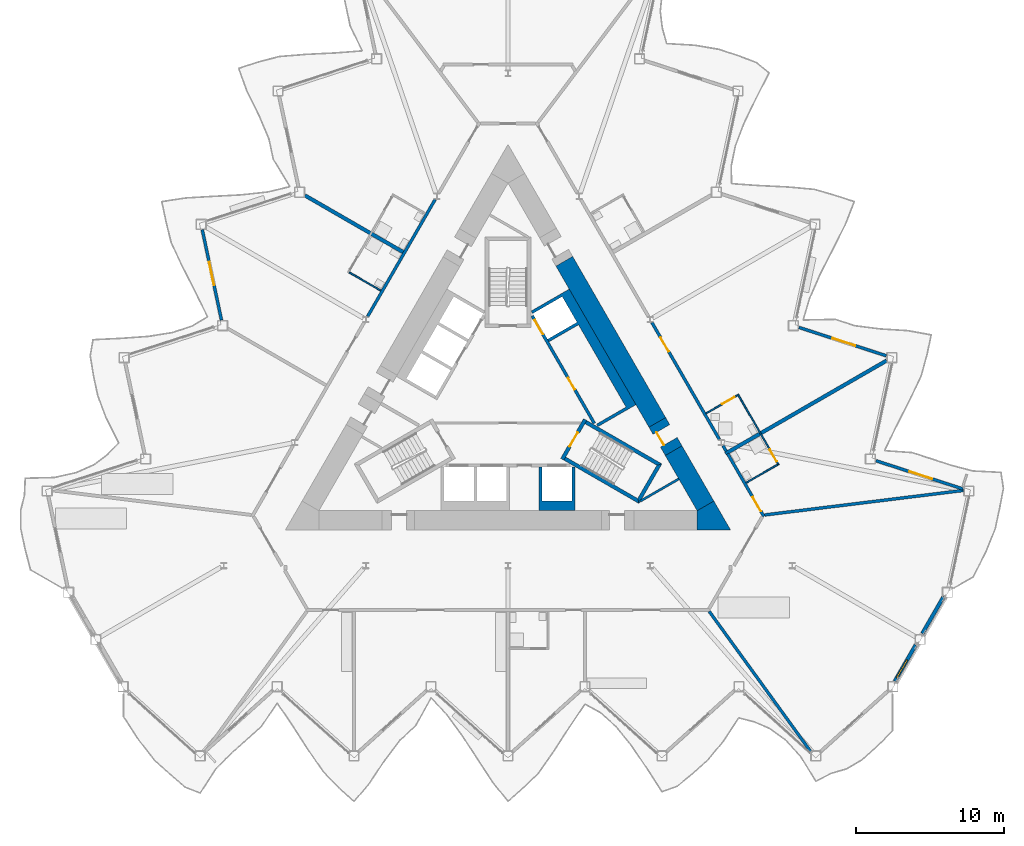
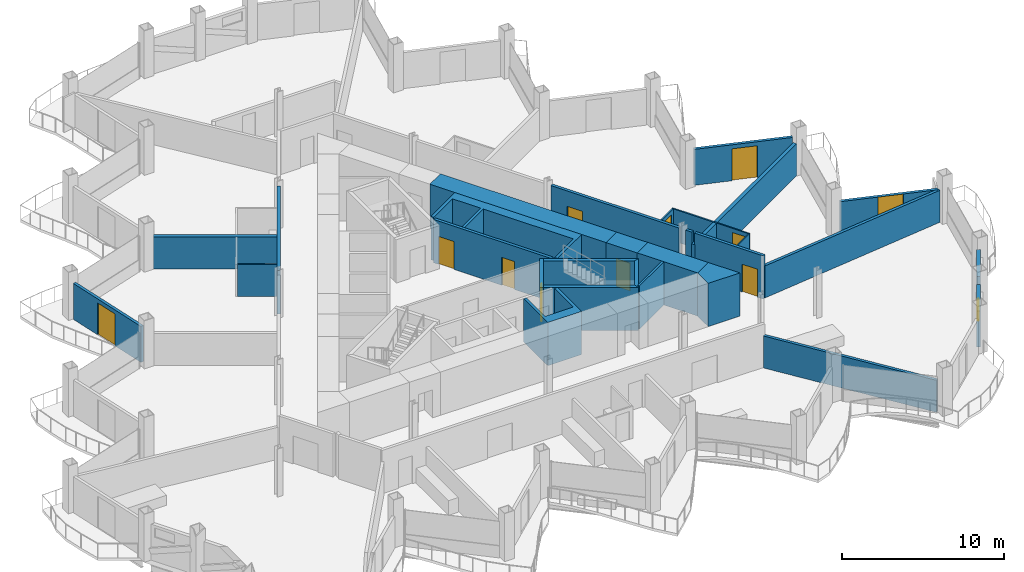
# One storey, part 13 of 24: 29 walls, 11 doors, 1 window, 12 openings.
"""IFC4 building model written with IfcOpenShell, lengths in metres."""

from ifc_helpers import new_model, si_unit, direction, frame, frame_2d, origin, place, context, subcontext, project, spatial, polyline, rectangle, outline, extrude, material, layer, layer_set, type_object, element, fill, save


model = new_model("IFC4")

# Units and contexts
model_context = context("Model", 3, precision=1e-05, world=origin(), true_north=direction((0.0, 1.0)))
body_context = subcontext(model_context, "Body", "Model", "MODEL_VIEW")
ifc_project = project(units=[si_unit("LENGTHUNIT", "METRE"), si_unit("AREAUNIT", "SQUARE_METRE"), si_unit("VOLUMEUNIT", "CUBIC_METRE"), si_unit("PLANEANGLEUNIT", "RADIAN"), si_unit("MASSUNIT", "GRAM", prefix="KILO")], contexts=[model_context])

# Site, building, storey
site_placement = place(None, origin())
site = spatial("IfcSite", under=ifc_project, at=site_placement, CompositionType="ELEMENT")
building_placement = place(site_placement, origin())
building = spatial("IfcBuilding", under=site, at=building_placement, Name="Cormorant Prow Tower", CompositionType="ELEMENT")
storey_placement = place(building_placement, frame((0.0, 0.0, 274.199951171875)))
storey = spatial("IfcBuildingStorey", under=building, at=storey_placement, Name="L62", CompositionType="ELEMENT", Elevation=274.199951171875)

# Walls
ifc_material_1 = material(Name="Gypsum board partition")
ifc_layer_1 = layer(ifc_material_1, 0.14990234375)
ifc_layer_set_1 = layer_set([ifc_layer_1], Name="Gypsum board partition")
wall_type_1 = type_object("IfcWallType", Name="Core partition 150", PredefinedType="PARTITIONING", material=ifc_layer_set_1)
wall_1_placement = place(storey_placement, frame((11.511474609375, -5.2177734375, 0.0), z_axis=(0.0, 0.0, 1.0), x_axis=(-0.866045649925, -0.499964931016, 0.0)))
element("IfcWall", 1, at=wall_1_placement, inside=storey, type_object=wall_type_1, Name="Service room partition", PredefinedType="PARTITIONING", context=body_context, shape_type="SweptSolid", body=[
    extrude(rectangle(XDim=2.992431640625, YDim=0.14990234375, at=frame_2d((1.49609375, 0.0))), origin(), (0.0, 0.0, 1.0), 3.25),
])
ifc_material_2 = material(Name="Concrete 8000 psi", Category="concrete")
ifc_layer_2 = layer(ifc_material_2, 1.300048828125)
ifc_layer_set_2 = layer_set([ifc_layer_2], Name="Concrete 8000 psi")
wall_type_2 = type_object("IfcWallType", Name="Core shear wall 1300", PredefinedType="SHEAR", material=ifc_layer_set_2)
wall_2_placement = place(storey_placement, frame((10.0625, -1.408203125, 0.0), z_axis=(0.0, 0.0, 1.0), x_axis=(-0.500000545805, 0.866025088663, 0.0)))
element("IfcWall", 2, at=wall_2_placement, inside=storey, type_object=wall_type_2, Name="Core wall", PredefinedType="SHEAR", context=body_context, shape_type="SweptSolid", body=[
    extrude(rectangle(XDim=12.5390625, YDim=1.300048828125, at=frame_2d((6.26953125, 0.0))), origin(), (0.0, 0.0, 1.0), 3.25),
])
wall_3_placement = place(storey_placement, frame((13.311279296875, -7.035400390625, 0.0), z_axis=(0.0, 0.0, 1.0), x_axis=(-0.500012574659, 0.86601814368, 0.0)))
element("IfcWall", 3, at=wall_3_placement, inside=storey, type_object=wall_type_2, Name="Core wall", PredefinedType="SHEAR", context=body_context, shape_type="SweptSolid", body=[
    extrude(rectangle(XDim=4.2978515625, YDim=1.300048828125, at=frame_2d((2.14892578125, 0.0))), origin(), (0.0, 0.0, 1.0), 3.25),
])
wall_4_placement = place(storey_placement, origin())
element("IfcWall", 4, at=wall_4_placement, inside=storey, type_object=wall_type_2, Name="Core wall corner", PredefinedType="SHEAR", context=body_context, shape_type="SweptSolid", body=[
    extrude(outline(polyline([(12.748291015625, -8.660400390625), (12.748291015625, -7.3603515625), (13.874267578125, -6.710205078125), (15.0, -8.660400390625), (12.748291015625, -8.660400390625)])), origin(), (0.0, 0.0, 1.0), 3.25),
])

# Wall, opening, door
wall_5_placement = place(storey_placement, frame((11.16259765625, -3.3134765625, 0.0), z_axis=(0.0, 0.0, 1.0), x_axis=(-0.50002983664, 0.866008176907, 0.0)))
wall_5 = element("IfcWall", 5, at=wall_5_placement, inside=storey, type_object=wall_type_2, Name="Core wall door panel", PredefinedType="SHEAR", context=body_context, shape_type="SweptSolid", body=[
    extrude(rectangle(XDim=2.199951171875, YDim=1.300048828125, at=frame_2d((1.10009765625, 0.0))), origin(), (0.0, 0.0, 1.0), 3.25),
])
opening_1_placement = place(wall_5_placement, frame((0.64990234375, 0.0, 0.0)))
opening_1 = element("IfcOpeningElement", 6, at=opening_1_placement, cuts=wall_5, Name="Opening L62-C15", PredefinedType="OPENING", context=body_context, shape_type="SweptSolid", body=[
    extrude(rectangle(XDim=1.0, YDim=2.10009765625, at=frame_2d((0.5, 1.050048828125))), frame((0.0, 0.659912109375, 0.0), z_axis=(0.0, -1.0, 0.0), x_axis=(1.0, 0.0, 0.0)), (0.0, 0.0, 1.0), 1.320068359375),
])
ifc_material_3 = material(Name="Painted steel", Category="steel")
door_type_1 = type_object("IfcDoorType", Name="Service door 1000x2100", OperationType="NOTDEFINED", PredefinedType="DOOR", material=ifc_material_3)
door_1_placement = place(opening_1_placement, origin())
door_1 = element("IfcDoor", 7, at=door_1_placement, inside=storey, type_object=door_type_1, Name="Core door, Electrical room", OperationType="SINGLE_SWING_LEFT", OverallHeight=2.10009765625, OverallWidth=1.0, PredefinedType="DOOR", context=body_context, shape_type="SweptSolid", body=[
    extrude(rectangle(XDim=1.0, YDim=2.10009765625, at=frame_2d((0.5, 1.050048828125))), frame((0.0, 0.40478515625, 0.0), z_axis=(0.0, -1.0, 0.0), x_axis=(1.0, 0.0, 0.0)), (0.0, 0.0, 1.0), 0.050048828125),
])
fill(opening_1, door_1)

ifc_material_4 = material(Name="Gypsum board corridor wall")
ifc_layer_3 = layer(ifc_material_4, 0.199951171875)
ifc_layer_set_3 = layer_set([ifc_layer_3], Name="Gypsum board corridor wall")
wall_type_3 = type_object("IfcWallType", Name="Corridor wall 200", PredefinedType="PARTITIONING", material=ifc_layer_set_3)
wall_6_placement = place(storey_placement, frame((9.699462890625, 5.320556640625, 0.0), z_axis=(0.0, 0.0, 1.0), x_axis=(0.49998193945, -0.866035830797, 0.0)))
wall_6 = element("IfcWall", 8, at=wall_6_placement, inside=storey, type_object=wall_type_3, Name="Corridor wall", PredefinedType="PARTITIONING", context=body_context, shape_type="SweptSolid", body=[
    extrude(rectangle(XDim=9.094482421875, YDim=0.199951171875, at=frame_2d((4.54736328125, 0.0))), origin(), (0.0, 0.0, 1.0), 3.25),
])
opening_2_placement = place(wall_6_placement, frame((1.16162109375, 0.0, 0.0)))
opening_2 = element("IfcOpeningElement", 9, at=opening_2_placement, cuts=wall_6, Name="Opening L62-F09", PredefinedType="OPENING", context=body_context, shape_type="SweptSolid", body=[
    extrude(rectangle(XDim=1.10009765625, YDim=2.10009765625, at=frame_2d((0.550048828125, 1.050048828125))), frame((0.0, 0.10986328125, 0.0), z_axis=(0.0, -1.0, 0.0), x_axis=(1.0, 0.0, 0.0)), (0.0, 0.0, 1.0), 0.219970703125),
])
ifc_material_5 = material(Name="Timber door leaf", Category="wood")
door_type_2 = type_object("IfcDoorType", Name="Suite entrance door 1100x2100", OperationType="NOTDEFINED", PredefinedType="DOOR", material=ifc_material_5)
door_2_placement = place(opening_2_placement, origin())
door_2 = element("IfcDoor", 10, at=door_2_placement, inside=storey, type_object=door_type_2, Name="Executive suite bedroom door", OperationType="SINGLE_SWING_RIGHT", OverallHeight=2.10009765625, OverallWidth=1.10009765625, PredefinedType="DOOR", context=body_context, shape_type="SweptSolid", body=[
    extrude(rectangle(XDim=1.10009765625, YDim=2.10009765625, at=frame_2d((0.550048828125, 1.050048828125))), frame((0.0, 0.02490234375, 0.0), z_axis=(0.0, -1.0, 0.0), x_axis=(1.0, 0.0, 0.0)), (0.0, 0.0, 1.0), 0.050048828125),
])
fill(opening_2, door_2)

# Wall
wall_7_placement = place(storey_placement, frame((-9.45751953125, 5.739501953125, 0.0), z_axis=(0.0, 0.0, 1.0), x_axis=(0.50000207303, 0.866024206917, 0.0)))
element("IfcWall", 11, at=wall_7_placement, inside=storey, type_object=wall_type_3, Name="Corridor wall", PredefinedType="PARTITIONING", context=body_context, shape_type="SweptSolid", body=[
    extrude(rectangle(XDim=9.0947265625, YDim=0.199951171875, at=frame_2d((4.54736328125, 0.0))), origin(), (0.0, 0.0, 1.0), 3.25),
])

# Wall, opening, door
wall_8_placement = place(storey_placement, frame((14.8056640625, -3.523681640625, 0.0), z_axis=(0.0, 0.0, 1.0), x_axis=(0.499999813892, -0.866025511234, 0.0)))
wall_8 = element("IfcWall", 12, at=wall_8_placement, inside=storey, type_object=wall_type_3, Name="Corridor wall", PredefinedType="PARTITIONING", context=body_context, shape_type="SweptSolid", body=[
    extrude(rectangle(XDim=4.87646484375, YDim=0.199951171875, at=frame_2d((2.438232421875, 0.0))), origin(), (0.0, 0.0, 1.0), 3.25),
])
opening_3_placement = place(wall_8_placement, frame((3.369873046875, 0.0, 0.0)))
opening_3 = element("IfcOpeningElement", 13, at=opening_3_placement, cuts=wall_8, Name="Opening L62-F07", PredefinedType="OPENING", context=body_context, shape_type="SweptSolid", body=[
    extrude(rectangle(XDim=1.10009765625, YDim=2.10009765625, at=frame_2d((0.550048828125, 1.050048828125))), frame((0.0, 0.10986328125, 0.0), z_axis=(0.0, -1.0, 0.0), x_axis=(1.0, 0.0, 0.0)), (0.0, 0.0, 1.0), 0.219970703125),
])
door_3_placement = place(opening_3_placement, origin())
door_3 = element("IfcDoor", 14, at=door_3_placement, inside=storey, type_object=door_type_2, Name="Junior suite door", OperationType="SINGLE_SWING_RIGHT", OverallHeight=2.10009765625, OverallWidth=1.10009765625, PredefinedType="DOOR", context=body_context, shape_type="SweptSolid", body=[
    extrude(rectangle(XDim=1.10009765625, YDim=2.10009765625, at=frame_2d((0.550048828125, 1.050048828125))), frame((0.0, 0.02490234375, 0.0), z_axis=(0.0, -1.0, 0.0), x_axis=(1.0, 0.0, 0.0)), (0.0, 0.0, 1.0), 0.050048828125),
])
fill(opening_3, door_3)

# Walls
wall_9_placement = place(storey_placement, frame((14.488525390625, -2.974609375, 0.0), z_axis=(0.0, 0.0, 1.0), x_axis=(0.500483236879, -0.865746227022, 0.0)))
element("IfcWall", 15, at=wall_9_placement, inside=storey, type_object=wall_type_3, Name="Corridor wall", PredefinedType="PARTITIONING", context=body_context, shape_type="SweptSolid", body=[
    extrude(rectangle(XDim=0.43505859375, YDim=0.199951171875, at=frame_2d((0.217529296875, 0.0))), origin(), (0.0, 0.0, 1.0), 3.25),
])
ifc_material_6 = material(Name="Gypsum board demising wall")
ifc_layer_4 = layer(ifc_material_6, 0.199951171875)
ifc_layer_set_4 = layer_set([ifc_layer_4], Name="Gypsum board demising wall")
wall_type_4 = type_object("IfcWallType", Name="Demising wall 200", PredefinedType="PARTITIONING", material=ifc_layer_set_4)
wall_10_placement = place(storey_placement, frame((17.293212890625, -7.64794921875, 0.0), z_axis=(0.0, 0.0, 1.0), x_axis=(0.992463280008, 0.122542391993, 0.0)))
element("IfcWall", 16, at=wall_10_placement, inside=storey, type_object=wall_type_4, Name="Demising wall", PredefinedType="PARTITIONING", context=body_context, shape_type="SweptSolid", body=[
    extrude(rectangle(XDim=13.51171875, YDim=0.199951171875, at=frame_2d((6.755859375, 0.0))), origin(), (0.0, 0.0, 1.0), 2.404296875),
])
wall_11_placement = place(storey_placement, frame((13.557373046875, -14.141357421875, 0.0), z_axis=(0.0, 0.0, 1.0), x_axis=(0.586363418846, -0.810048110324, 0.0)))
element("IfcWall", 17, at=wall_11_placement, inside=storey, type_object=wall_type_4, Name="Demising wall", PredefinedType="PARTITIONING", context=body_context, shape_type="SweptSolid", body=[
    extrude(rectangle(XDim=11.65771484375, YDim=0.199951171875, at=frame_2d((5.828857421875, 0.0))), origin(), (0.0, 0.0, 1.0), 2.404296875),
])

# Wall, opening, door
ifc_material_7 = material(Name="Gypsum board partition")
ifc_layer_5 = layer(ifc_material_7, 0.10009765625)
ifc_layer_set_5 = layer_set([ifc_layer_5], Name="Gypsum board partition")
wall_type_5 = type_object("IfcWallType", Name="Internal partition 100", PredefinedType="PARTITIONING", material=ifc_layer_set_5)
wall_12_placement = place(storey_placement, frame((15.490234375, 0.490478515625, 0.0), z_axis=(0.0, 0.0, 1.0), x_axis=(0.499996545922, -0.866027397988, 0.0)))
wall_12 = element("IfcWall", 18, at=wall_12_placement, inside=storey, type_object=wall_type_5, Name="Internal partition", PredefinedType="PARTITIONING", context=body_context, shape_type="SweptSolid", body=[
    extrude(rectangle(XDim=5.5, YDim=0.10009765625, at=frame_2d((2.75, 0.0))), origin(), (0.0, 0.0, 1.0), 2.404296875),
])
opening_4_placement = place(wall_12_placement, frame((4.300048828125, 0.0, 0.0)))
opening_4 = element("IfcOpeningElement", 19, at=opening_4_placement, cuts=wall_12, Name="Opening L62-F08", PredefinedType="OPENING", context=body_context, shape_type="SweptSolid", body=[
    extrude(rectangle(XDim=0.949951171875, YDim=2.10009765625, at=frame_2d((0.47509765625, 1.050048828125))), frame((0.0, 0.06005859375, 0.0), z_axis=(0.0, -1.0, 0.0), x_axis=(1.0, 0.0, 0.0)), (0.0, 0.0, 1.0), 0.1201171875),
])
ifc_material_8 = material(Name="Timber door leaf", Category="wood")
door_type_3 = type_object("IfcDoorType", Name="Bathroom door 950x2100", OperationType="NOTDEFINED", PredefinedType="DOOR", material=ifc_material_8)
door_4_placement = place(opening_4_placement, origin())
door_4 = element("IfcDoor", 20, at=door_4_placement, inside=storey, type_object=door_type_3, Name="Junior suite door", OperationType="SINGLE_SWING_RIGHT", OverallHeight=2.10009765625, OverallWidth=0.949951171875, PredefinedType="DOOR", context=body_context, shape_type="SweptSolid", body=[
    extrude(rectangle(XDim=0.949951171875, YDim=2.10009765625, at=frame_2d((0.47509765625, 1.050048828125))), frame((0.0, 0.02490234375, 0.0), z_axis=(0.0, -1.0, 0.0), x_axis=(1.0, 0.0, 0.0)), (0.0, 0.0, 1.0), 0.050048828125),
])
fill(opening_4, door_4)

# Wall
wall_13_placement = place(storey_placement, frame((-10.694091796875, 8.697509765625, 0.0), z_axis=(0.0, 0.0, 1.0), x_axis=(0.866032905446, -0.499987006516, 0.0)))
element("IfcWall", 21, at=wall_13_placement, inside=storey, type_object=wall_type_5, Name="Internal partition", PredefinedType="PARTITIONING", context=body_context, shape_type="SweptSolid", body=[
    extrude(rectangle(XDim=2.44970703125, YDim=0.10009765625, at=frame_2d((1.224853515625, 0.0))), origin(), (0.0, 0.0, 1.0), 2.404296875),
])

# Wall, opening, door
wall_14_placement = place(storey_placement, frame((13.350341796875, -0.802734375, 0.0), z_axis=(0.0, 0.0, 1.0), x_axis=(0.866032905446, 0.499987006516, 0.0)))
wall_14 = element("IfcWall", 22, at=wall_14_placement, inside=storey, type_object=wall_type_5, Name="Internal partition", PredefinedType="PARTITIONING", context=body_context, shape_type="SweptSolid", body=[
    extrude(rectangle(XDim=2.44970703125, YDim=0.10009765625, at=frame_2d((1.224853515625, 0.0))), origin(), (0.0, 0.0, 1.0), 2.404296875),
])
opening_5_placement = place(wall_14_placement, frame((1.25, 0.0, 0.0)))
opening_5 = element("IfcOpeningElement", 23, at=opening_5_placement, cuts=wall_14, Name="Opening L62-F10", PredefinedType="OPENING", context=body_context, shape_type="SweptSolid", body=[
    extrude(rectangle(XDim=0.949951171875, YDim=2.10009765625, at=frame_2d((0.47509765625, 1.050048828125))), frame((0.0, 0.06005859375, 0.0), z_axis=(0.0, -1.0, 0.0), x_axis=(1.0, 0.0, 0.0)), (0.0, 0.0, 1.0), 0.1201171875),
])
door_5_placement = place(opening_5_placement, origin())
door_5 = element("IfcDoor", 24, at=door_5_placement, inside=storey, type_object=door_type_3, Name="Executive suite bedroom door", OperationType="SINGLE_SWING_RIGHT", OverallHeight=2.10009765625, OverallWidth=0.949951171875, PredefinedType="DOOR", context=body_context, shape_type="SweptSolid", body=[
    extrude(rectangle(XDim=0.949951171875, YDim=2.10009765625, at=frame_2d((0.47509765625, 1.050048828125))), frame((0.0, 0.02490234375, 0.0), z_axis=(0.0, -1.0, 0.0), x_axis=(1.0, 0.0, 0.0)), (0.0, 0.0, 1.0), 0.050048828125),
])
fill(opening_5, door_5)

# Wall
wall_15_placement = place(storey_placement, frame((16.05029296875, -5.4794921875, 0.0), z_axis=(0.0, 0.0, 1.0), x_axis=(0.866014668023, 0.500018594424, 0.0)))
element("IfcWall", 25, at=wall_15_placement, inside=storey, type_object=wall_type_5, Name="Internal partition", PredefinedType="PARTITIONING", context=body_context, shape_type="SweptSolid", body=[
    extrude(rectangle(XDim=2.4501953125, YDim=0.10009765625, at=frame_2d((1.22509765625, 0.0))), origin(), (0.0, 0.0, 1.0), 2.404296875),
])

# Wall, openings, doors
ifc_material_9 = material(Name="Concrete 5000 psi", Category="concrete")
ifc_layer_6 = layer(ifc_material_9, 0.199951171875)
ifc_layer_set_6 = layer_set([ifc_layer_6], Name="Concrete 5000 psi")
wall_type_6 = type_object("IfcWallType", Name="Lift lobby wall 200", PredefinedType="SOLIDWALL", material=ifc_layer_set_6)
wall_16_placement = place(storey_placement, frame((5.817138671875, -1.4755859375, 0.0), z_axis=(0.0, 0.0, 1.0), x_axis=(-0.500002616675, 0.866023893041, 0.0)))
wall_16 = element("IfcWall", 26, at=wall_16_placement, inside=storey, type_object=wall_type_6, Name="Lift lobby wall, ENE block", PredefinedType="SOLIDWALL", context=body_context, shape_type="SweptSolid", body=[
    extrude(rectangle(XDim=8.373046875, YDim=0.199951171875, at=frame_2d((4.1865234375, 0.0))), origin(), (0.0, 0.0, 1.0), 3.25),
])
opening_6_placement = place(wall_16_placement, frame((2.63671875, 0.0, 0.0)))
opening_6 = element("IfcOpeningElement", 27, at=opening_6_placement, cuts=wall_16, Name="Opening L62-C05", PredefinedType="OPENING", context=body_context, shape_type="SweptSolid", body=[
    extrude(rectangle(XDim=0.89990234375, YDim=2.10009765625, at=frame_2d((0.449951171875, 1.050048828125))), frame((0.0, 0.10986328125, 0.0), z_axis=(0.0, -1.0, 0.0), x_axis=(1.0, 0.0, 0.0)), (0.0, 0.0, 1.0), 0.219970703125),
])
opening_7_placement = place(wall_16_placement, frame((6.9365234375, 0.0, 0.0)))
opening_7 = element("IfcOpeningElement", 28, at=opening_7_placement, cuts=wall_16, Name="Opening L62-C06", PredefinedType="OPENING", context=body_context, shape_type="SweptSolid", body=[
    extrude(rectangle(XDim=1.10009765625, YDim=2.10009765625, at=frame_2d((0.550048828125, 1.050048828125))), frame((0.0, 0.10986328125, 0.0), z_axis=(0.0, -1.0, 0.0), x_axis=(1.0, 0.0, 0.0)), (0.0, 0.0, 1.0), 0.219970703125),
])
ifc_material_10 = material(Name="Painted steel", Category="steel")
door_type_4 = type_object("IfcDoorType", Name="Lift landing door 1100x2100", OperationType="SLIDING_TO_LEFT", PredefinedType="DOOR", material=ifc_material_10)
door_6_placement = place(opening_7_placement, origin())
door_6 = element("IfcDoor", 29, at=door_6_placement, inside=storey, type_object=door_type_4, Name="Landing door MR1", OperationType="SLIDING_TO_LEFT", OverallHeight=2.10009765625, OverallWidth=1.10009765625, PredefinedType="DOOR", context=body_context, shape_type="SweptSolid", body=[
    extrude(rectangle(XDim=1.10009765625, YDim=2.10009765625, at=frame_2d((0.550048828125, 1.050048828125))), frame((0.0, 0.02490234375, 0.0), z_axis=(0.0, -1.0, 0.0), x_axis=(1.0, 0.0, 0.0)), (0.0, 0.0, 1.0), 0.050048828125),
])
fill(opening_7, door_6)
ifc_material_11 = material(Name="Painted steel", Category="steel")
door_type_5 = type_object("IfcDoorType", Name="Service door 900x2100", OperationType="NOTDEFINED", PredefinedType="DOOR", material=ifc_material_11)
door_7_placement = place(opening_6_placement, origin())
door_7 = element("IfcDoor", 30, at=door_7_placement, inside=storey, type_object=door_type_5, Name="Service door, Housekeeping store", OperationType="SINGLE_SWING_LEFT", OverallHeight=2.10009765625, OverallWidth=0.89990234375, PredefinedType="DOOR", context=body_context, shape_type="SweptSolid", body=[
    extrude(rectangle(XDim=0.89990234375, YDim=2.10009765625, at=frame_2d((0.449951171875, 1.050048828125))), frame((0.0, 0.02490234375, 0.0), z_axis=(0.0, -1.0, 0.0), x_axis=(1.0, 0.0, 0.0)), (0.0, 0.0, 1.0), 0.050048828125),
])
fill(opening_6, door_7)

# Walls
ifc_material_12 = material(Name="Concrete 8000 psi", Category="concrete")
ifc_layer_7 = layer(ifc_material_12, 0.199951171875)
ifc_layer_set_7 = layer_set([ifc_layer_7], Name="Concrete 8000 psi")
wall_type_7 = type_object("IfcWallType", Name="Lift shaft wall 200", PredefinedType="SHEAR", material=ifc_layer_set_7)
wall_17_placement = place(storey_placement, origin())
element("IfcWall", 31, at=wall_17_placement, inside=storey, type_object=wall_type_7, Name="Lift shaft walls, S block", PredefinedType="SHEAR", context=body_context, shape_type="SweptSolid", body=[
    extrude(outline(polyline([(2.10009765625, -7.3603515625), (2.10009765625, -4.39990234375), (2.300048828125, -4.39990234375), (2.300048828125, -6.699951171875), (4.300048828125, -6.699951171875), (4.300048828125, -4.39990234375), (4.5, -4.39990234375), (4.5, -7.3603515625), (2.10009765625, -7.3603515625)])), origin(), (0.0, 0.0, 1.0), 3.25),
])
wall_18_placement = place(storey_placement, origin())
element("IfcWall", 32, at=wall_18_placement, inside=storey, type_object=wall_type_7, Name="Lift shaft walls, ENE block", PredefinedType="SHEAR", context=body_context, shape_type="SweptSolid", body=[
    extrude(outline(polyline([(4.124267578125, 7.5771484375), (8.624267578125, -0.217041015625), (8.230712890625, -0.444091796875), (6.060546875, -1.697021484375), (5.96044921875, -1.52392578125), (7.952392578125, -0.373779296875), (4.75244140625, 5.168701171875), (2.760498046875, 4.018798828125), (2.660400390625, 4.19189453125), (4.65234375, 5.341796875), (3.65234375, 7.073974609375), (1.660400390625, 5.923828125), (1.560546875, 6.09716796875), (3.730712890625, 7.35009765625), (4.124267578125, 7.5771484375)])), origin(), (0.0, 0.0, 1.0), 3.25),
])
ifc_material_13 = material(Name="Concrete 8000 psi", Category="concrete")
ifc_layer_8 = layer(ifc_material_13, 0.25)
ifc_layer_set_8 = layer_set([ifc_layer_8], Name="Concrete 8000 psi")
wall_type_8 = type_object("IfcWallType", Name="Stair wall 250", PredefinedType="SHEAR", material=ifc_layer_set_8)
wall_19_placement = place(storey_placement, origin())
element("IfcWall", 33, at=wall_19_placement, inside=storey, type_object=wall_type_8, Name="Stair ST2 enclosure wall (flank)", PredefinedType="SHEAR", context=body_context, shape_type="SweptSolid", body=[
    extrude(outline(polyline([(3.76318359375, -3.95556640625), (8.82958984375, -6.880615234375), (8.738037109375, -6.5390625), (3.88818359375, -3.739013671875), (3.76318359375, -3.95556640625)])), origin(), (0.0, 0.0, 1.0), 3.25),
])
wall_20_placement = place(storey_placement, origin())
element("IfcWall", 34, at=wall_20_placement, inside=storey, type_object=wall_type_8, Name="Stair ST2 enclosure wall (end)", PredefinedType="SHEAR", context=body_context, shape_type="SweptSolid", body=[
    extrude(outline(polyline([(8.82958984375, -6.880615234375), (10.37353515625, -4.206298828125), (10.031982421875, -4.2978515625), (8.738037109375, -6.5390625), (8.82958984375, -6.880615234375)])), origin(), (0.0, 0.0, 1.0), 3.25),
])
wall_21_placement = place(storey_placement, origin())
element("IfcWall", 35, at=wall_21_placement, inside=storey, type_object=wall_type_8, Name="Stair ST2 enclosure wall (flank)", PredefinedType="SHEAR", context=body_context, shape_type="SweptSolid", body=[
    extrude(outline(polyline([(10.031982421875, -4.2978515625), (10.37353515625, -4.206298828125), (5.30712890625, -1.28125), (5.18212890625, -1.497802734375), (10.031982421875, -4.2978515625)])), origin(), (0.0, 0.0, 1.0), 3.25),
])

# Wall, opening, door
wall_22_placement = place(storey_placement, frame((3.655029296875, -3.89306640625, 0.0), z_axis=(0.0, 0.0, 1.0), x_axis=(0.499982516597, 0.866035497597, 0.0)))
wall_22 = element("IfcWall", 36, at=wall_22_placement, inside=storey, type_object=wall_type_8, Name="Stair ST2 door wall", PredefinedType="SHEAR", context=body_context, shape_type="SweptSolid", body=[
    extrude(rectangle(XDim=3.087890625, YDim=0.25, at=frame_2d((1.5439453125, 0.0))), origin(), (0.0, 0.0, 1.0), 3.25),
])
opening_8_placement = place(wall_22_placement, frame((0.993896484375, 0.0, 0.0)))
opening_8 = element("IfcOpeningElement", 37, at=opening_8_placement, cuts=wall_22, Name="Opening L62-C11", PredefinedType="OPENING", context=body_context, shape_type="SweptSolid", body=[
    extrude(rectangle(XDim=1.10009765625, YDim=2.10009765625, at=frame_2d((0.550048828125, 1.050048828125))), frame((0.0, 0.135009765625, 0.0), z_axis=(0.0, -1.0, 0.0), x_axis=(1.0, 0.0, 0.0)), (0.0, 0.0, 1.0), 0.27001953125),
])
ifc_material_14 = material(Name="Painted steel", Category="steel")
door_type_6 = type_object("IfcDoorType", Name="Stair door 1100x2100", OperationType="NOTDEFINED", PredefinedType="DOOR", material=ifc_material_14)
door_8_placement = place(opening_8_placement, origin())
door_8 = element("IfcDoor", 38, at=door_8_placement, inside=storey, type_object=door_type_6, Name="Stair ST2 door", OperationType="SINGLE_SWING_RIGHT", OverallHeight=2.10009765625, OverallWidth=1.10009765625, PredefinedType="DOOR", context=body_context, shape_type="SweptSolid", body=[
    extrude(rectangle(XDim=1.10009765625, YDim=2.10009765625, at=frame_2d((0.550048828125, 1.050048828125))), frame((0.0, 0.02490234375, 0.0), z_axis=(0.0, -1.0, 0.0), x_axis=(1.0, 0.0, 0.0)), (0.0, 0.0, 1.0), 0.050048828125),
])
fill(opening_8, door_8)

# Walls
ifc_material_15 = material(Name="Acoustic gypsum party wall")
ifc_layer_9 = layer(ifc_material_15, 0.25)
ifc_layer_set_9 = layer_set([ifc_layer_9], Name="Acoustic gypsum party wall")
wall_type_9 = type_object("IfcWallType", Name="Suite party wall 250", PredefinedType="PARTITIONING", material=ifc_layer_set_9)
wall_23_placement = place(storey_placement, frame((14.655517578125, -3.513427734375, 0.0), z_axis=(0.0, 0.0, 1.0), x_axis=(0.866021525405, 0.50000671749, 0.0)))
element("IfcWall", 39, at=wall_23_placement, inside=storey, type_object=wall_type_9, Name="Suite party wall", PredefinedType="PARTITIONING", context=body_context, shape_type="SweptSolid", body=[
    extrude(rectangle(XDim=12.539306640625, YDim=0.25, at=frame_2d((6.26953125, 0.0))), origin(), (0.0, 0.0, 1.0), 2.404296875),
])
wall_24_placement = place(storey_placement, frame((-13.68701171875, 13.889404296875, 0.0), z_axis=(0.0, 0.0, 1.0), x_axis=(0.866041332704, -0.499972409287, 0.0)))
element("IfcWall", 40, at=wall_24_placement, inside=storey, type_object=wall_type_9, Name="Suite party wall", PredefinedType="PARTITIONING", context=body_context, shape_type="SweptSolid", body=[
    extrude(rectangle(XDim=7.6376953125, YDim=0.25, at=frame_2d((3.81884765625, 0.0))), origin(), (0.0, 0.0, 1.0), 2.404296875),
])

# Wall, opening, window
ifc_material_16 = material(Name="Terracotta", Category="masonry")
ifc_layer_10 = layer(ifc_material_16, 0.25)
ifc_layer_set_10 = layer_set([ifc_layer_10], Name="Terracotta")
wall_type_10 = type_object("IfcWallType", Name="Terracotta bay wall 250", PredefinedType="SOLIDWALL", material=ifc_layer_set_10)
wall_25_placement = place(storey_placement, frame((26.068359375, -18.85009765625, 0.0), z_axis=(0.0, 0.0, 1.0), x_axis=(0.49996263964, 0.866046972724, 0.0)))
wall_25 = element("IfcWall", 41, at=wall_25_placement, inside=storey, type_object=wall_type_10, Name="Terracotta bay wall ESE00", PredefinedType="SOLIDWALL", context=body_context, shape_type="SweptSolid", body=[
    extrude(rectangle(XDim=2.815673828125, YDim=0.25, at=frame_2d((1.40771484375, 0.0))), origin(), (0.0, 0.0, 1.0), 2.700927734375),
])
opening_9_placement = place(wall_25_placement, frame((0.25, 0.0, 1.800048828125)))
opening_9 = element("IfcOpeningElement", 42, at=opening_9_placement, cuts=wall_25, Name="Opening WN4", PredefinedType="OPENING", context=body_context, shape_type="SweptSolid", body=[
    extrude(rectangle(XDim=1.39990234375, YDim=0.699951171875, at=frame_2d((0.699951171875, 0.35009765625))), frame((0.0, 0.135009765625, 0.0), z_axis=(0.0, -1.0, 0.0), x_axis=(1.0, 0.0, 0.0)), (0.0, 0.0, 1.0), 0.27001953125),
])
ifc_material_17 = material(Name="Aluminium 6063-T6", Category="aluminium")
window_type = type_object("IfcWindowType", Name="Corner bay window 1400x700", PartitioningType="SINGLE_PANEL", PredefinedType="WINDOW", material=ifc_material_17)
window_placement = place(opening_9_placement, origin())
window = element("IfcWindow", 43, at=window_placement, inside=storey, type_object=window_type, Name="Corner bay window ESE00", OverallHeight=0.699951171875, OverallWidth=1.39990234375, PartitioningType="SINGLE_PANEL", PredefinedType="WINDOW", context=body_context, shape_type="SweptSolid", body=[
    extrude(rectangle(XDim=1.39990234375, YDim=0.699951171875, at=frame_2d((0.699951171875, 0.35009765625))), frame((0.0, 0.030029296875, 0.0), z_axis=(0.0, -1.0, 0.0), x_axis=(1.0, 0.0, 0.0)), (0.0, 0.0, 1.0), 0.06005859375),
])
fill(opening_9, window)

# Wall
wall_26_placement = place(storey_placement, frame((27.923583984375, -15.63671875, 0.0), z_axis=(0.0, 0.0, 1.0), x_axis=(0.499989935246, 0.866031214595, 0.0)))
element("IfcWall", 44, at=wall_26_placement, inside=storey, type_object=wall_type_10, Name="Terracotta bay wall ESE01", PredefinedType="SOLIDWALL", context=body_context, shape_type="SweptSolid", body=[
    extrude(rectangle(XDim=2.87060546875, YDim=0.25, at=frame_2d((1.435302734375, 0.0))), origin(), (0.0, 0.0, 1.0), 2.700927734375),
])

# Wall, opening, door
ifc_material_18 = material(Name="Terracotta", Category="masonry")
ifc_layer_11 = layer(ifc_material_18, 0.199951171875)
ifc_layer_set_11 = layer_set([ifc_layer_11], Name="Terracotta")
wall_type_11 = type_object("IfcWallType", Name="Terracotta jamb wall 200", PredefinedType="SOLIDWALL", material=ifc_layer_set_11)
wall_27_placement = place(storey_placement, frame((30.660888671875, -5.894775390625, 0.0), z_axis=(0.0, 0.0, 1.0), x_axis=(-0.9510521117, 0.309030549996, 0.0)))
wall_27 = element("IfcWall", 45, at=wall_27_placement, inside=storey, type_object=wall_type_11, Name="Terracotta jamb wall ENE01", PredefinedType="SOLIDWALL", context=body_context, shape_type="SweptSolid", body=[
    extrude(rectangle(XDim=6.16455078125, YDim=0.199951171875, at=frame_2d((3.082275390625, 0.0))), origin(), (0.0, 0.0, 1.0), 2.404296875),
])
opening_10_placement = place(wall_27_placement, frame((2.187744140625, 0.0, 0.0)))
opening_10 = element("IfcOpeningElement", 46, at=opening_10_placement, cuts=wall_27, Name="Opening ED62.06", PredefinedType="OPENING", context=body_context, shape_type="SweptSolid", body=[
    extrude(rectangle(XDim=1.60009765625, YDim=2.39990234375, at=frame_2d((0.800048828125, 1.199951171875))), frame((0.0, 0.10986328125, 0.0), z_axis=(0.0, -1.0, 0.0), x_axis=(1.0, 0.0, 0.0)), (0.0, 0.0, 1.0), 0.219970703125),
])
ifc_material_19 = material(Name="Aluminium 6063-T6", Category="aluminium")
door_type_7 = type_object("IfcDoorType", Name="Balcony door 1600x2400", OperationType="DOUBLE_DOOR_SINGLE_SWING", PredefinedType="DOOR", material=ifc_material_19)
door_9_placement = place(opening_10_placement, origin())
door_9 = element("IfcDoor", 47, at=door_9_placement, inside=storey, type_object=door_type_7, Name="Balcony door ENE01 ED62.06", OperationType="DOUBLE_DOOR_SINGLE_SWING", OverallHeight=2.39990234375, OverallWidth=1.60009765625, PredefinedType="DOOR", context=body_context, shape_type="SweptSolid", body=[
    extrude(rectangle(XDim=1.60009765625, YDim=2.39990234375, at=frame_2d((0.800048828125, 1.199951171875))), frame((0.0, 0.02490234375, 0.0), z_axis=(0.0, -1.0, 0.0), x_axis=(1.0, 0.0, 0.0)), (0.0, 0.0, 1.0), 0.050048828125),
])
fill(opening_10, door_9)

wall_28_placement = place(storey_placement, frame((25.500244140625, 3.078369140625, 0.0), z_axis=(0.0, 0.0, 1.0), x_axis=(-0.951060426261, 0.309004960478, 0.0)))
wall_28 = element("IfcWall", 48, at=wall_28_placement, inside=storey, type_object=wall_type_11, Name="Terracotta jamb wall ENE03", PredefinedType="SOLIDWALL", context=body_context, shape_type="SweptSolid", body=[
    extrude(rectangle(XDim=6.193603515625, YDim=0.199951171875, at=frame_2d((3.0966796875, 0.0))), origin(), (0.0, 0.0, 1.0), 2.700927734375),
])
opening_11_placement = place(wall_28_placement, frame((2.21337890625, 0.0, 0.0)))
opening_11 = element("IfcOpeningElement", 49, at=opening_11_placement, cuts=wall_28, Name="Opening ED62.07", PredefinedType="OPENING", context=body_context, shape_type="SweptSolid", body=[
    extrude(rectangle(XDim=1.60009765625, YDim=2.39990234375, at=frame_2d((0.800048828125, 1.199951171875))), frame((0.0, 0.10986328125, 0.0), z_axis=(0.0, -1.0, 0.0), x_axis=(1.0, 0.0, 0.0)), (0.0, 0.0, 1.0), 0.219970703125),
])
door_10_placement = place(opening_11_placement, origin())
door_10 = element("IfcDoor", 50, at=door_10_placement, inside=storey, type_object=door_type_7, Name="Balcony door ENE03 ED62.07", OperationType="DOUBLE_DOOR_SINGLE_SWING", OverallHeight=2.39990234375, OverallWidth=1.60009765625, PredefinedType="DOOR", context=body_context, shape_type="SweptSolid", body=[
    extrude(rectangle(XDim=1.60009765625, YDim=2.39990234375, at=frame_2d((0.800048828125, 1.199951171875))), frame((0.0, 0.02490234375, 0.0), z_axis=(0.0, -1.0, 0.0), x_axis=(1.0, 0.0, 0.0)), (0.0, 0.0, 1.0), 0.050048828125),
])
fill(opening_11, door_10)

wall_29_placement = place(storey_placement, frame((-20.60400390625, 11.576904296875, 0.0), z_axis=(0.0, 0.0, 1.0), x_axis=(0.207907484076, -0.978148494895, 0.0)))
wall_29 = element("IfcWall", 51, at=wall_29_placement, inside=storey, type_object=wall_type_11, Name="Terracotta jamb wall WNW05", PredefinedType="SOLIDWALL", context=body_context, shape_type="SweptSolid", body=[
    extrude(rectangle(XDim=6.23193359375, YDim=0.199951171875, at=frame_2d((3.115966796875, 0.0))), origin(), (0.0, 0.0, 1.0), 2.700927734375),
])
opening_12_placement = place(wall_29_placement, frame((2.22705078125, 0.0, 0.0)))
opening_12 = element("IfcOpeningElement", 52, at=opening_12_placement, cuts=wall_29, Name="Opening ED62.13", PredefinedType="OPENING", context=body_context, shape_type="SweptSolid", body=[
    extrude(rectangle(XDim=1.60009765625, YDim=2.39990234375, at=frame_2d((0.800048828125, 1.199951171875))), frame((0.0, 0.10986328125, 0.0), z_axis=(0.0, -1.0, 0.0), x_axis=(1.0, 0.0, 0.0)), (0.0, 0.0, 1.0), 0.219970703125),
])
door_11_placement = place(opening_12_placement, origin())
door_11 = element("IfcDoor", 53, at=door_11_placement, inside=storey, type_object=door_type_7, Name="Balcony door WNW05 ED62.13", OperationType="DOUBLE_DOOR_SINGLE_SWING", OverallHeight=2.39990234375, OverallWidth=1.60009765625, PredefinedType="DOOR", context=body_context, shape_type="SweptSolid", body=[
    extrude(rectangle(XDim=1.60009765625, YDim=2.39990234375, at=frame_2d((0.800048828125, 1.199951171875))), frame((0.0, 0.02490234375, 0.0), z_axis=(0.0, -1.0, 0.0), x_axis=(1.0, 0.0, 0.0)), (0.0, 0.0, 1.0), 0.050048828125),
])
fill(opening_12, door_11)

save(model, "model.ifc")
